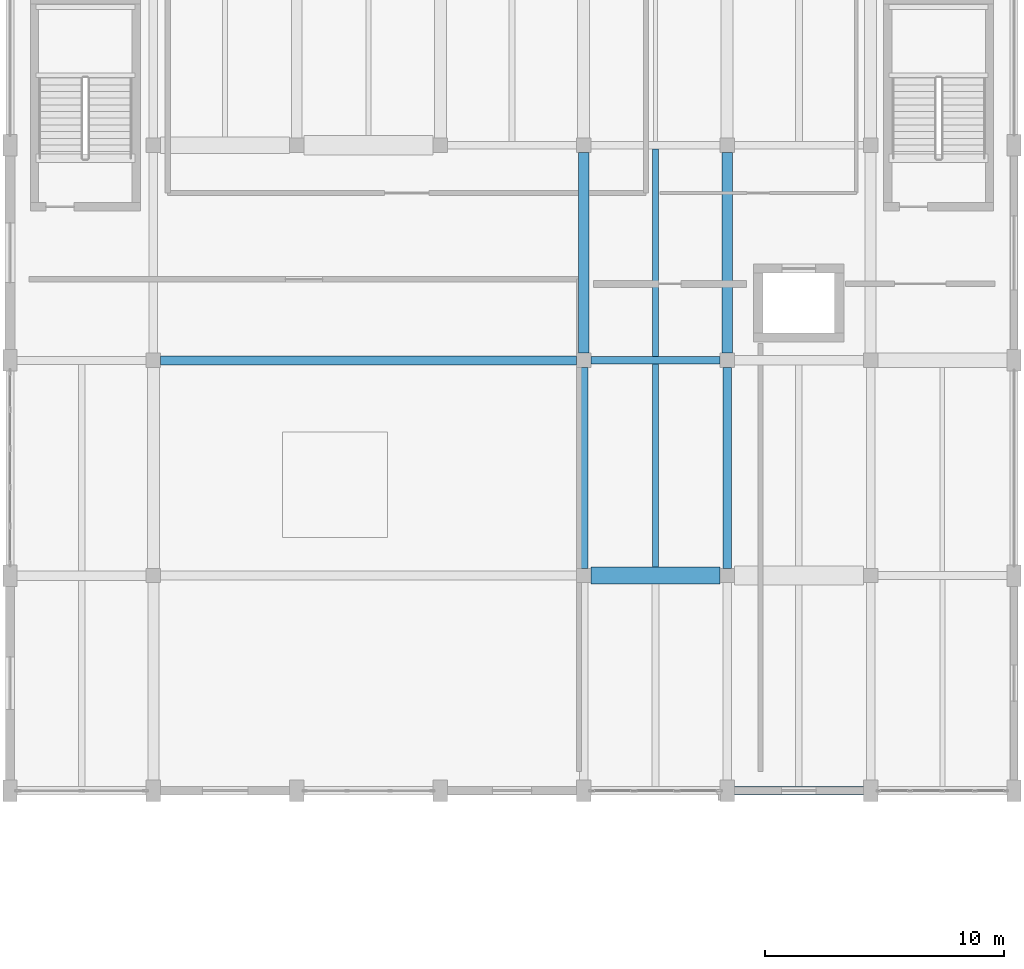
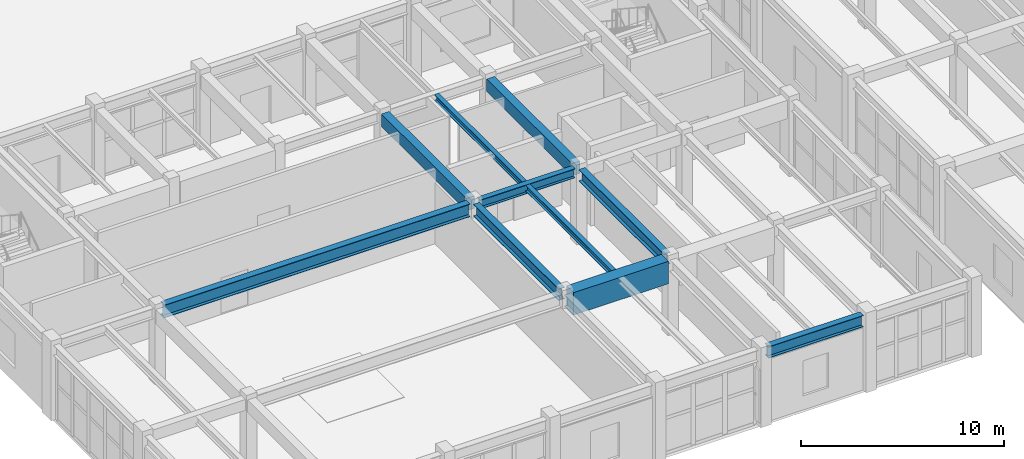
# One storey, part 14 of 80: 10 beams.
"""IFC4 building model written with IfcOpenShell, lengths in metres."""

from ifc_helpers import new_model, si_unit, direction, frame, origin, origin_2d, place, context, subcontext, project, spatial, rectangle, i_section, extrude, material, material_profile, profile_set, type_object, element, save


model = new_model("IFC4")

# Units and contexts
model_context = context("Model", 3, precision=1e-05, world=origin(), true_north=direction((0.0, 1.0)))
body_context = subcontext(model_context, "Body", "Model", "MODEL_VIEW")
ifc_project = project(units=[si_unit("LENGTHUNIT", "METRE"), si_unit("AREAUNIT", "SQUARE_METRE"), si_unit("VOLUMEUNIT", "CUBIC_METRE"), si_unit("PLANEANGLEUNIT", "RADIAN"), si_unit("MASSUNIT", "GRAM", prefix="KILO")], contexts=[model_context])

# Site, building, storey
site_placement = place(None, origin())
site = spatial("IfcSite", under=ifc_project, at=site_placement, CompositionType="ELEMENT")
building_placement = place(site_placement, origin())
building = spatial("IfcBuilding", under=site, at=building_placement, Name="Vaelkrest Opera House", CompositionType="ELEMENT")
storey_placement = place(building_placement, frame((0.0, 0.0, 15.0)))
storey = spatial("IfcBuildingStorey", under=building, at=storey_placement, Name="L03", CompositionType="ELEMENT", Elevation=15.0)

# Beams
ifc_material_1 = material(Name="Concrete C50/60", Category="concrete")
ifc_material_profile_1 = material_profile(ifc_material_1, rectangle(XDim=0.449951171875, YDim=0.75, at=origin_2d()), Name="RCB450X750")
ifc_profile_set_1 = profile_set([ifc_material_profile_1], Name="Concrete C50/60")
beam_type_1 = type_object("IfcBeamType", Name="B02", PredefinedType="BEAM", material=ifc_profile_set_1)
for number, where, z_axis, x_axis, name in (
    (1, (-51.60009765625, 1.5, 4.1298828125), (0.0, 1.0, 0.0), (-1.0, 0.0, 0.0), "Beam BM-V3-L03-1775"),
    (2, (-45.60009765625, 1.5, 4.1298828125), (0.0, 1.0, 0.0), (-1.0, 0.0, 0.0), "Beam BM-V3-L03-1779"),
):
    element("IfcBeam", number, at=place(storey_placement, frame(where, z_axis=z_axis, x_axis=x_axis)), inside=storey, type_object=beam_type_1, Name=name, PredefinedType="BEAM", context=body_context, shape_type="SweptSolid", body=[
        extrude(rectangle(XDim=0.449951171875, YDim=0.75, at=origin_2d()), origin(), (0.0, 0.0, 1.0), 8.39990234375),
    ])
ifc_material_profile_2 = material_profile(ifc_material_1, rectangle(XDim=0.699951171875, YDim=1.35009765625, at=origin_2d()), Name="RCB700X1350")
ifc_profile_set_2 = profile_set([ifc_material_profile_2], Name="Concrete C50/60")
beam_type_2 = type_object("IfcBeamType", Name="B06", PredefinedType="BEAM", material=ifc_profile_set_2)
beam_1_placement = place(storey_placement, frame((-51.300048828125, -7.800048828125, 3.830078125), z_axis=(1.0, 0.0, 0.0), x_axis=(0.0, 1.0, 0.0)))
element("IfcBeam", 3, at=beam_1_placement, inside=storey, type_object=beam_type_2, Name="Beam BM-V3-L03-1743", PredefinedType="BEAM", context=body_context, shape_type="SweptSolid", body=[
    extrude(rectangle(XDim=0.699951171875, YDim=1.35009765625, at=origin_2d()), origin(), (0.0, 0.0, 1.0), 5.400146484375),
])
ifc_material_2 = material(Name="Steel A992 Gr50", Category="steel")
ifc_material_profile_3 = material_profile(ifc_material_2, i_section(OverallWidth=0.381103515625, OverallDepth=0.77294921875, WebThickness=0.0166015625, FlangeThickness=0.027099609375, at=origin_2d()), Name="W30X173")
ifc_profile_set_3 = profile_set([ifc_material_profile_3], Name="Steel A992 Gr50")
beam_type_3 = type_object("IfcBeamType", Name="B11", PredefinedType="BEAM", material=ifc_profile_set_3)
beam_2_placement = place(storey_placement, frame((-69.300048828125, 1.199951171875, 4.118408203125), z_axis=(1.0, 0.0, 0.0), x_axis=(0.0, 1.0, 0.0)))
element("IfcBeam", 4, at=beam_2_placement, inside=storey, type_object=beam_type_3, Name="Beam BM-V3-L03-1747", PredefinedType="BEAM", context=body_context, shape_type="SweptSolid", body=[
    extrude(i_section(OverallWidth=0.381103515625, OverallDepth=0.77294921875, WebThickness=0.0166015625, FlangeThickness=0.027099609375, at=origin_2d()), origin(), (0.0, 0.0, 1.0), 17.400146484375),
])
ifc_material_profile_4 = material_profile(ifc_material_2, i_section(OverallWidth=0.35791015625, OverallDepth=0.7060546875, WebThickness=0.018310546875, FlangeThickness=0.0302734375, at=origin_2d()), Name="W27X178")
ifc_profile_set_4 = profile_set([ifc_material_profile_4], Name="Steel A992 Gr50")
beam_type_4 = type_object("IfcBeamType", Name="B14", PredefinedType="BEAM", material=ifc_profile_set_4)
for number, where, z_axis, x_axis, name in (
    (5, (-51.60009765625, -7.5, 4.152099609375), (0.0, 1.0, 0.0), (-1.0, 0.0, 0.0), "Beam BM-V3-L03-1774"),
    (6, (-45.60009765625, -7.5, 4.152099609375), (0.0, 1.0, 0.0), (-1.0, 0.0, 0.0), "Beam BM-V3-L03-1778"),
):
    element("IfcBeam", number, at=place(storey_placement, frame(where, z_axis=z_axis, x_axis=x_axis)), inside=storey, type_object=beam_type_4, Name=name, PredefinedType="BEAM", context=body_context, shape_type="SweptSolid", body=[
        extrude(i_section(OverallWidth=0.35791015625, OverallDepth=0.7060546875, WebThickness=0.018310546875, FlangeThickness=0.0302734375, at=origin_2d()), origin(), (0.0, 0.0, 1.0), 8.39990234375),
    ])
ifc_material_profile_5 = material_profile(ifc_material_2, i_section(OverallWidth=0.31494140625, OverallDepth=0.551025390625, WebThickness=0.01513671875, FlangeThickness=0.0244140625, at=origin_2d()), Name="W21X122")
ifc_profile_set_5 = profile_set([ifc_material_profile_5], Name="Steel A992 Gr50")
beam_type_5 = type_object("IfcBeamType", Name="B20", PredefinedType="BEAM", material=ifc_profile_set_5)
beam_3_placement = place(storey_placement, frame((-51.300048828125, 1.199951171875, 4.2294921875), z_axis=(1.0, 0.0, 0.0), x_axis=(0.0, 1.0, 0.0)))
element("IfcBeam", 7, at=beam_3_placement, inside=storey, type_object=beam_type_5, Name="Beam BM-V3-L03-1748", PredefinedType="BEAM", context=body_context, shape_type="SweptSolid", body=[
    extrude(i_section(OverallWidth=0.31494140625, OverallDepth=0.551025390625, WebThickness=0.01513671875, FlangeThickness=0.0244140625, at=origin_2d()), origin(), (0.0, 0.0, 1.0), 5.400146484375),
])
ifc_material_profile_6 = material_profile(ifc_material_2, i_section(OverallWidth=0.2548828125, OverallDepth=0.35693359375, WebThickness=0.010498046875, FlangeThickness=0.018310546875, at=origin_2d()), Name="W14X68")
ifc_profile_set_6 = profile_set([ifc_material_profile_6], Name="Steel A992 Gr50")
beam_type_6 = type_object("IfcBeamType", Name="J05", PredefinedType="JOIST", material=ifc_profile_set_6)
beam_4_placement = place(storey_placement, frame((-48.60009765625, -7.449951171875, 4.326416015625), z_axis=(0.0, 1.0, 0.0), x_axis=(-1.0, 0.0, 0.0)))
element("IfcBeam", 8, at=beam_4_placement, inside=storey, type_object=beam_type_6, Name="Floor joist JST-V3-L03-1795", PredefinedType="JOIST", context=body_context, shape_type="SweptSolid", body=[
    extrude(i_section(OverallWidth=0.2548828125, OverallDepth=0.35693359375, WebThickness=0.010498046875, FlangeThickness=0.018310546875, at=origin_2d()), origin(), (0.0, 0.0, 1.0), 8.492431640625),
])
ifc_material_profile_7 = material_profile(ifc_material_2, i_section(OverallWidth=0.257080078125, OverallDepth=0.363037109375, WebThickness=0.012939453125, FlangeThickness=0.021728515625, at=origin_2d()), Name="W14X82")
ifc_profile_set_7 = profile_set([ifc_material_profile_7], Name="Steel A992 Gr50")
beam_type_7 = type_object("IfcBeamType", Name="J06", PredefinedType="JOIST", material=ifc_profile_set_7)
beam_5_placement = place(storey_placement, frame((-48.60009765625, 1.357421875, 4.323486328125), z_axis=(0.0, 1.0, 0.0), x_axis=(-1.0, 0.0, 0.0)))
element("IfcBeam", 9, at=beam_5_placement, inside=storey, type_object=beam_type_7, Name="Floor joist JST-V3-L03-1796", PredefinedType="JOIST", context=body_context, shape_type="SweptSolid", body=[
    extrude(i_section(OverallWidth=0.257080078125, OverallDepth=0.363037109375, WebThickness=0.012939453125, FlangeThickness=0.021728515625, at=origin_2d()), origin(), (0.0, 0.0, 1.0), 8.678466796875),
])
ifc_material_profile_8 = material_profile(ifc_material_2, i_section(OverallWidth=0.35498046875, OverallDepth=0.695068359375, WebThickness=0.015380859375, FlangeThickness=0.02490234375, at=origin_2d()), Name="W27X146")
ifc_profile_set_8 = profile_set([ifc_material_profile_8], Name="Steel A992 Gr50")
beam_type_8 = type_object("IfcBeamType", Name="SP02", PredefinedType="SPANDREL", material=ifc_profile_set_8)
beam_6_placement = place(storey_placement, frame((-45.300048828125, -16.800048828125, 4.157470703125), z_axis=(1.0, 0.0, 0.0), x_axis=(0.0, 1.0, 0.0)))
element("IfcBeam", 10, at=beam_6_placement, inside=storey, type_object=beam_type_8, Name="Beam BM-V3-L03-1739", PredefinedType="SPANDREL", context=body_context, shape_type="SweptSolid", body=[
    extrude(i_section(OverallWidth=0.35498046875, OverallDepth=0.695068359375, WebThickness=0.015380859375, FlangeThickness=0.02490234375, at=origin_2d()), origin(), (0.0, 0.0, 1.0), 5.400146484375),
])

save(model, "model.ifc")
